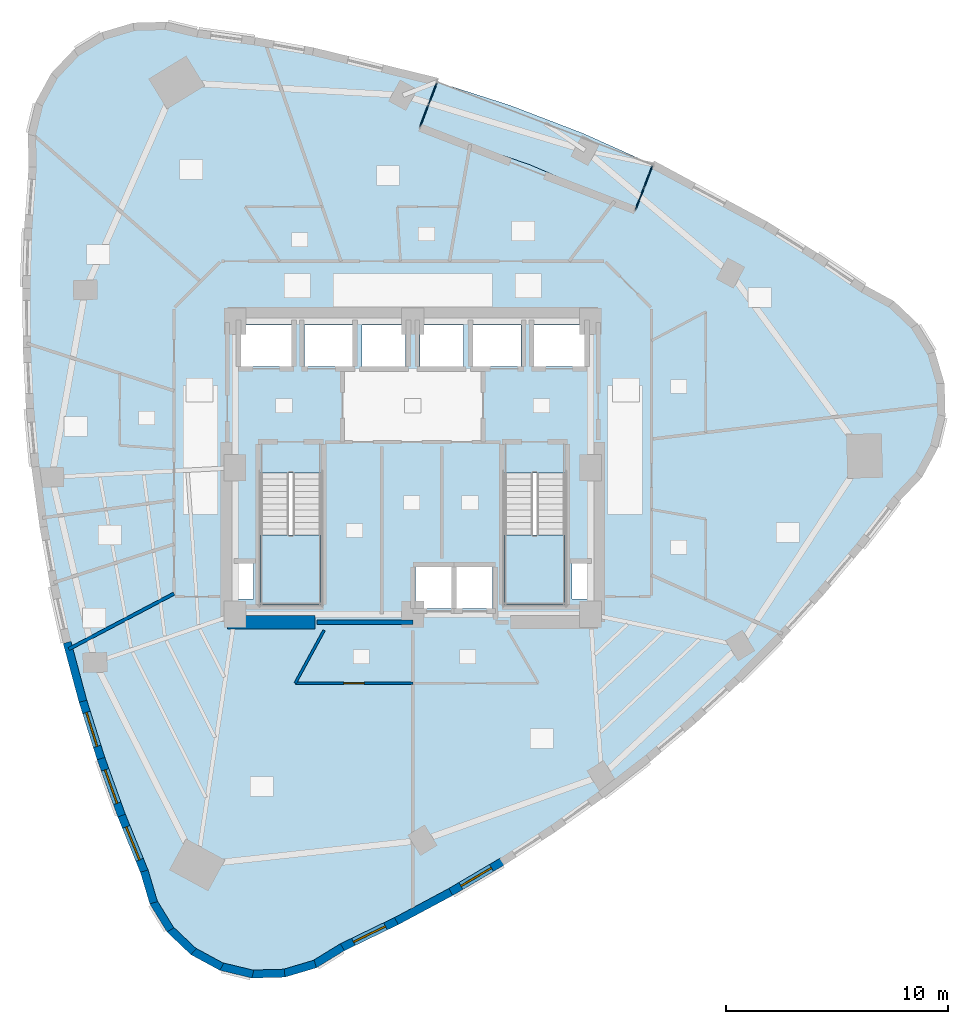
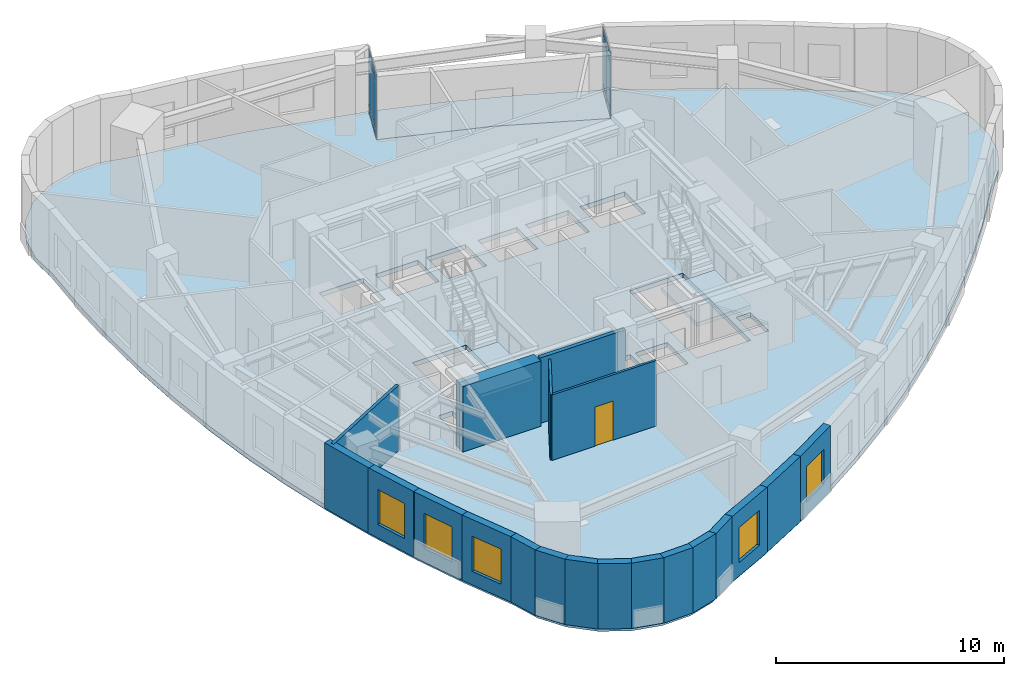
# One storey, part 5 of 12: 20 walls, 12 plates, 5 windows, 4 slabs, 1 door, 6 openings, 4 elements without a shape of their own.
"""IFC4 building model written with IfcOpenShell, lengths in metres."""

import ifcopenshell
import ifcopenshell.guid

model = None  # the IFC model being written
_history = None  # IfcOwnerHistory: only IFC2X3 demands one
_inside = {}  # id of a spatial element -> (the spatial element, [elements in it])
_under = {}  # id of a project, library or spatial element -> (it, [spatial elements below it])
_declared = {}  # id of a project -> (the project, [libraries it declares])
_typed = {}  # id of a type object -> (the type object, [elements of that type])
_made_of = {}  # id of a material, layer set ... -> (it, [elements and type objects made of it])


def new_model(schema):
    """Start an empty IFC model of exactly this schema.

    Asked for "IFC4X3", IfcOpenShell would pick the latest addendum, in which some entities
    have other attributes; the version numbers below select the first issue.
    IFC2X3 requires an IfcOwnerHistory on every rooted entity: one is made here for all.
    """
    global model, _history
    if schema == "IFC4X3":
        model = ifcopenshell.file(schema_version=(4, 3, 0, 0))
    else:
        model = ifcopenshell.file(schema=schema)
    _inside.clear()
    _under.clear()
    _declared.clear()
    _typed.clear()
    _made_of.clear()
    _history = None
    if model.schema == "IFC2X3":
        org = make("IfcOrganization", Name="unknown")
        user = make(
            "IfcPersonAndOrganization",
            ThePerson=make("IfcPerson", FamilyName="unknown"),
            TheOrganization=org,
        )
        app = make(
            "IfcApplication",
            ApplicationDeveloper=org,
            Version="unknown",
            ApplicationFullName="unknown",
            ApplicationIdentifier="unknown",
        )
        _history = make(
            "IfcOwnerHistory",
            OwningUser=user,
            OwningApplication=app,
            ChangeAction="ADDED",
            CreationDate=0,
        )
    return model


def make(cls, **values):
    """One entity of the class cls with the attributes given. An attribute that is None is left unset."""
    return model.create_entity(
        cls, **{name: value for name, value in values.items() if value is not None}
    )


def rooted(cls, **values):
    """An entity with a GlobalId (a new one), such as an element, a storey or a relation."""
    return make(cls, GlobalId=ifcopenshell.guid.new(), OwnerHistory=_history, **values)


def si_unit(unit_type, name, prefix=None):
    """IfcSIUnit, for example si_unit("LENGTHUNIT", "METRE", prefix="MILLI")."""
    return make("IfcSIUnit", UnitType=unit_type, Prefix=prefix, Name=name)


def assignment(units):
    """IfcUnitAssignment: the units of a project."""
    return None if units is None else make("IfcUnitAssignment", Units=units)


def point(xyz):
    """IfcCartesianPoint."""
    return None if xyz is None else make("IfcCartesianPoint", Coordinates=xyz)


def direction(xyz):
    """IfcDirection."""
    return None if xyz is None else make("IfcDirection", DirectionRatios=xyz)


def frame(location, z_axis=None, x_axis=None):
    """IfcAxis2Placement3D, a coordinate frame: its origin and axes. An axis left out is left unset."""
    return make(
        "IfcAxis2Placement3D",
        Location=point(location),
        Axis=direction(z_axis),
        RefDirection=direction(x_axis),
    )


def frame_2d(location, x_axis=None):
    """IfcAxis2Placement2D, a coordinate frame in the plane: its origin and x axis."""
    return make(
        "IfcAxis2Placement2D", Location=point(location), RefDirection=direction(x_axis)
    )


def origin():
    """The frame at (0, 0, 0) with its axes left unset."""
    return frame((0.0, 0.0, 0.0))


def origin_2d():
    """The frame at (0, 0) in the plane with its x axis left unset."""
    return frame_2d((0.0, 0.0))


def place(relative_to, where):
    """IfcLocalPlacement: puts the frame where relative to a parent placement (None: the world)."""
    return make(
        "IfcLocalPlacement", PlacementRelTo=relative_to, RelativePlacement=where
    )


def context(
    kind, dimensions, precision=None, world=None, true_north=None, identifier=None
):
    """IfcGeometricRepresentationContext, for example the 3D "Model" context."""
    return make(
        "IfcGeometricRepresentationContext",
        ContextIdentifier=identifier,
        ContextType=kind,
        CoordinateSpaceDimension=dimensions,
        Precision=precision,
        WorldCoordinateSystem=world,
        TrueNorth=true_north,
    )


def subcontext(parent, identifier, kind, view, scale=None):
    """IfcGeometricRepresentationSubContext, for example "Body" below "Model"."""
    return make(
        "IfcGeometricRepresentationSubContext",
        ContextIdentifier=identifier,
        ContextType=kind,
        ParentContext=parent,
        TargetScale=scale,
        TargetView=view,
    )


def project(units=None, contexts=None):
    """IfcProject with its units and contexts."""
    return rooted(
        "IfcProject",
        Name="project",
        RepresentationContexts=contexts,
        UnitsInContext=assignment(units),
    )


def spatial(cls, under=None, at=None, **own):
    """A site, building, storey or space (cls), placed at a placement, below another one or the project."""
    s = rooted(cls, ObjectPlacement=at, **own)
    if under is not None:
        _under.setdefault(under.id(), (under, []))[1].append(s)
    return s


def polyline(points):
    """IfcPolyline through the points."""
    return make("IfcPolyline", Points=[point(p) for p in points])


def profile(cls, at=None, kind="AREA", **sizes):
    """A parametric profile (cls). Its sizes go by their IFC names, for example OverallWidth=200.0."""
    return make(cls, ProfileType=kind, Position=at, **sizes)


def rectangle(**sizes):
    """IfcRectangleProfileDef."""
    return profile("IfcRectangleProfileDef", **sizes)


def outline(outer, holes=None, kind="AREA"):
    """IfcArbitraryClosedProfileDef: a profile drawn as a closed curve; with holes, ...WithVoids."""
    if holes is None:
        return make("IfcArbitraryClosedProfileDef", ProfileType=kind, OuterCurve=outer)
    return make(
        "IfcArbitraryProfileDefWithVoids",
        ProfileType=kind,
        OuterCurve=outer,
        InnerCurves=holes,
    )


def extrude(swept, where, along, depth):
    """IfcExtrudedAreaSolid: the profile swept, set in the frame where, extruded along a direction by depth."""
    return make(
        "IfcExtrudedAreaSolid",
        SweptArea=swept,
        Position=where,
        ExtrudedDirection=direction(along),
        Depth=depth,
    )


def shape(context_of_items, identifier, shape_type, items):
    """IfcShapeRepresentation: the items that make up one representation, for example the "Body"."""
    return make(
        "IfcShapeRepresentation",
        ContextOfItems=context_of_items,
        RepresentationIdentifier=identifier,
        RepresentationType=shape_type,
        Items=items,
    )


def material(Name=None, Category=None):
    """IfcMaterial."""
    return make("IfcMaterial", Name=Name, Category=Category)


def layer(
    of_material, thickness, ventilated=None, Name=None, Category=None, Priority=None
):
    """IfcMaterialLayer: one layer of a wall or slab, of a material (None: an air gap)."""
    return make(
        "IfcMaterialLayer",
        Material=of_material,
        LayerThickness=thickness,
        IsVentilated=ventilated,
        Name=Name,
        Category=Category,
        Priority=Priority,
    )


def layer_set(layers, Name=None):
    """IfcMaterialLayerSet."""
    return make("IfcMaterialLayerSet", MaterialLayers=layers, LayerSetName=Name)


def made_of(thing, what):
    """Note that an element or type object is made of a material, layer set ...; save() writes the relation."""
    if what is not None:
        _made_of.setdefault(what.id(), (what, []))[1].append(thing)
    return thing


def type_object(cls, material=None, **own):
    """A type object (cls), such as IfcWallType, which elements share."""
    return made_of(rooted(cls, **own), material)


def element(
    cls,
    number,
    at=None,
    inside=None,
    cuts=None,
    type_object=None,
    material=None,
    context=None,
    identifier="Body",
    shape_type=None,
    held_by="IfcProductDefinitionShape",
    body=None,
    shapes=None,
    **own,
):
    """One element of the class cls, such as IfcWall. Its Tag is "e" and its number.

    at: its placement. inside: the storey or other place that contains it. cuts: it is an
    opening in that element (IfcRelVoidsElement). A single representation is given by context,
    identifier, shape_type and body (its items); several are given by shapes. held_by: the class
    of the entity that holds the representations. save() writes the other relations.
    """
    e = rooted(cls, Tag="e%d" % number, ObjectPlacement=at, **own)
    if body is not None:
        shapes = [shape(context, identifier, shape_type, body)]
    if shapes is not None:
        e.Representation = make(held_by, Representations=shapes)
    if inside is not None:
        _inside.setdefault(inside.id(), (inside, []))[1].append(e)
    if cuts is not None:
        rooted(
            "IfcRelVoidsElement", RelatingBuildingElement=cuts, RelatedOpeningElement=e
        )
    if type_object is not None:
        _typed.setdefault(type_object.id(), (type_object, []))[1].append(e)
    return made_of(e, material)


def fill(opening, filler):
    """IfcRelFillsElement: the door or window that sits in an opening."""
    return rooted(
        "IfcRelFillsElement",
        RelatingOpeningElement=opening,
        RelatedBuildingElement=filler,
    )


def aggregate(whole, parts):
    """IfcRelAggregates: a whole, such as a stair, and the parts it consists of."""
    return rooted("IfcRelAggregates", RelatingObject=whole, RelatedObjects=parts)


def save(model, path):
    """Write the relations noted so far, then the file.

    IfcRelAggregates (storeys below a building ...), IfcRelContainedInSpatialStructure (elements
    in a storey), IfcRelDefinesByType, IfcRelAssociatesMaterial and IfcRelDeclares: one each for
    every whole, place, type object, material and project.
    """
    for whole, parts in _under.values():
        aggregate(whole, parts)
    for where, things in _inside.values():
        rooted(
            "IfcRelContainedInSpatialStructure",
            RelatedElements=things,
            RelatingStructure=where,
        )
    for kind, things in _typed.values():
        rooted("IfcRelDefinesByType", RelatedObjects=things, RelatingType=kind)
    for what, things in _made_of.values():
        rooted("IfcRelAssociatesMaterial", RelatedObjects=things, RelatingMaterial=what)
    for by, libraries in _declared.values():
        rooted("IfcRelDeclares", RelatingContext=by, RelatedDefinitions=libraries)
    model.write(path)


model = new_model("IFC4")

# Units and contexts
model_context = context("Model", 3, precision=1e-05, world=origin(), true_north=direction((0.0, 1.0)))
body_context = subcontext(model_context, "Body", "Model", "MODEL_VIEW")
ifc_project = project(units=[si_unit("LENGTHUNIT", "METRE"), si_unit("AREAUNIT", "SQUARE_METRE"), si_unit("VOLUMEUNIT", "CUBIC_METRE"), si_unit("PLANEANGLEUNIT", "RADIAN"), si_unit("MASSUNIT", "GRAM", prefix="KILO")], contexts=[model_context])

# Site, building, storey
site_placement = place(None, origin())
site = spatial("IfcSite", under=ifc_project, at=site_placement, CompositionType="ELEMENT")
building_placement = place(site_placement, origin())
building = spatial("IfcBuilding", under=site, at=building_placement, Name="Ndelora Gate Hotel", CompositionType="ELEMENT")
storey_placement = place(building_placement, frame((0.0, 0.0, 153.5)))
storey = spatial("IfcBuildingStorey", under=building, at=storey_placement, Name="L38", CompositionType="ELEMENT", Elevation=153.5)

# Curtain wall, plates
ifc_material_1 = material(Name="Bronze Anodised Unitised Aluminium and Low-E Glass", Category="aluminium")
ifc_layer_1 = layer(ifc_material_1, 0.199951171875)
ifc_layer_set_1 = layer_set([ifc_layer_1], Name="Bronze Anodised Unitised Aluminium and Low-E Glass")
curtain_wall_type = type_object("IfcCurtainWallType", Name="CW-SYS-3", PredefinedType="NOTDEFINED", material=ifc_layer_set_1)
curtain_wall_1_placement = place(storey_placement, origin())
curtain_wall_1 = element("IfcCurtainWall", 1, at=curtain_wall_1_placement, inside=storey, type_object=curtain_wall_type, Name="L38 Sky-Garden Loggia Side Curtain Wall CW3-1", PredefinedType="NOTDEFINED")
ifc_material_2 = material(Name="Solar-Control Low-E Insulated Glazing", Category="glass")
ifc_layer_2 = layer(ifc_material_2, 0.048095703125)
ifc_layer_set_2 = layer_set([ifc_layer_2], Name="Solar-Control Low-E Insulated Glazing")
plate_type = type_object("IfcPlateType", Name="PL-CW-GLZ36", PredefinedType="CURTAIN_PANEL", material=ifc_layer_set_2)
plate_1_placement = place(storey_placement, frame((10.2236328125, 12.123291015625, 0.05908203125), z_axis=(0.0, 0.0, 1.0), x_axis=(0.358360683234, 0.93358321574, 0.0)))
plate_1 = element("IfcPlate", 2, at=plate_1_placement, type_object=plate_type, Name="CW3 panel 1.1", PredefinedType="CURTAIN_PANEL", context=body_context, shape_type="SweptSolid", body=[
    extrude(rectangle(XDim=1.014404296875, YDim=0.048095703125, at=origin_2d()), origin(), (0.0, 0.0, 1.0), 0.364501953125),
])
plate_2_placement = place(storey_placement, frame((10.2236328125, 12.123291015625, 0.4765625), z_axis=(0.0, 0.0, 1.0), x_axis=(0.358360683234, 0.93358321574, 0.0)))
plate_2 = element("IfcPlate", 3, at=plate_2_placement, type_object=plate_type, Name="CW3 panel 1.2", PredefinedType="CURTAIN_PANEL", context=body_context, shape_type="SweptSolid", body=[
    extrude(rectangle(XDim=1.014404296875, YDim=0.048095703125, at=origin_2d()), origin(), (0.0, 0.0, 1.0), 2.447021484375),
])
plate_3_placement = place(storey_placement, frame((10.2236328125, 12.123291015625, 2.9765625), z_axis=(0.0, 0.0, 1.0), x_axis=(0.358360683234, 0.93358321574, 0.0)))
plate_3 = element("IfcPlate", 4, at=plate_3_placement, type_object=plate_type, Name="CW3 panel 1.3", PredefinedType="CURTAIN_PANEL", context=body_context, shape_type="SweptSolid", body=[
    extrude(rectangle(XDim=1.014404296875, YDim=0.048095703125, at=origin_2d()), origin(), (0.0, 0.0, 1.0), 0.464599609375),
])
plate_4_placement = place(storey_placement, frame((10.606201171875, 13.119873046875, 0.05908203125), z_axis=(0.0, 0.0, 1.0), x_axis=(0.358360683234, 0.93358321574, 0.0)))
plate_4 = element("IfcPlate", 5, at=plate_4_placement, type_object=plate_type, Name="CW3 panel 2.1", PredefinedType="CURTAIN_PANEL", context=body_context, shape_type="SweptSolid", body=[
    extrude(rectangle(XDim=1.014404296875, YDim=0.048095703125, at=origin_2d()), origin(), (0.0, 0.0, 1.0), 0.364501953125),
])
plate_5_placement = place(storey_placement, frame((10.606201171875, 13.119873046875, 0.4765625), z_axis=(0.0, 0.0, 1.0), x_axis=(0.358360683234, 0.93358321574, 0.0)))
plate_5 = element("IfcPlate", 6, at=plate_5_placement, type_object=plate_type, Name="CW3 panel 2.2", PredefinedType="CURTAIN_PANEL", context=body_context, shape_type="SweptSolid", body=[
    extrude(rectangle(XDim=1.014404296875, YDim=0.048095703125, at=origin_2d()), origin(), (0.0, 0.0, 1.0), 2.447021484375),
])
plate_6_placement = place(storey_placement, frame((10.606201171875, 13.119873046875, 2.9765625), z_axis=(0.0, 0.0, 1.0), x_axis=(0.358360683234, 0.93358321574, 0.0)))
plate_6 = element("IfcPlate", 7, at=plate_6_placement, type_object=plate_type, Name="CW3 panel 2.3", PredefinedType="CURTAIN_PANEL", context=body_context, shape_type="SweptSolid", body=[
    extrude(rectangle(XDim=1.014404296875, YDim=0.048095703125, at=origin_2d()), origin(), (0.0, 0.0, 1.0), 0.464599609375),
])
aggregate(curtain_wall_1, [plate_1, plate_2, plate_3, plate_4, plate_5, plate_6])

curtain_wall_2_placement = place(storey_placement, origin())
curtain_wall_2 = element("IfcCurtainWall", 8, at=curtain_wall_2_placement, inside=storey, type_object=curtain_wall_type, Name="L38 Sky-Garden Loggia Side Curtain Wall CW3-2", PredefinedType="NOTDEFINED")
plate_7_placement = place(storey_placement, frame((0.89697265625, 16.846923828125, 0.05908203125), z_axis=(0.0, 0.0, 1.0), x_axis=(-0.35837589096, -0.933577378035, 0.0)))
plate_7 = element("IfcPlate", 9, at=plate_7_placement, type_object=plate_type, Name="CW3 panel 1.1", PredefinedType="CURTAIN_PANEL", context=body_context, shape_type="SweptSolid", body=[
    extrude(rectangle(XDim=1.014404296875, YDim=0.048095703125, at=origin_2d()), origin(), (0.0, 0.0, 1.0), 0.364501953125),
])
plate_8_placement = place(storey_placement, frame((0.89697265625, 16.846923828125, 0.4765625), z_axis=(0.0, 0.0, 1.0), x_axis=(-0.35837589096, -0.933577378035, 0.0)))
plate_8 = element("IfcPlate", 10, at=plate_8_placement, type_object=plate_type, Name="CW3 panel 1.2", PredefinedType="CURTAIN_PANEL", context=body_context, shape_type="SweptSolid", body=[
    extrude(rectangle(XDim=1.014404296875, YDim=0.048095703125, at=origin_2d()), origin(), (0.0, 0.0, 1.0), 2.447021484375),
])
plate_9_placement = place(storey_placement, frame((0.89697265625, 16.846923828125, 2.9765625), z_axis=(0.0, 0.0, 1.0), x_axis=(-0.35837589096, -0.933577378035, 0.0)))
plate_9 = element("IfcPlate", 11, at=plate_9_placement, type_object=plate_type, Name="CW3 panel 1.3", PredefinedType="CURTAIN_PANEL", context=body_context, shape_type="SweptSolid", body=[
    extrude(rectangle(XDim=1.014404296875, YDim=0.048095703125, at=origin_2d()), origin(), (0.0, 0.0, 1.0), 0.464599609375),
])
plate_10_placement = place(storey_placement, frame((0.514404296875, 15.850341796875, 0.05908203125), z_axis=(0.0, 0.0, 1.0), x_axis=(-0.35837589096, -0.933577378035, 0.0)))
plate_10 = element("IfcPlate", 12, at=plate_10_placement, type_object=plate_type, Name="CW3 panel 2.1", PredefinedType="CURTAIN_PANEL", context=body_context, shape_type="SweptSolid", body=[
    extrude(rectangle(XDim=1.014404296875, YDim=0.048095703125, at=origin_2d()), origin(), (0.0, 0.0, 1.0), 0.364501953125),
])
plate_11_placement = place(storey_placement, frame((0.514404296875, 15.850341796875, 0.4765625), z_axis=(0.0, 0.0, 1.0), x_axis=(-0.35837589096, -0.933577378035, 0.0)))
plate_11 = element("IfcPlate", 13, at=plate_11_placement, type_object=plate_type, Name="CW3 panel 2.2", PredefinedType="CURTAIN_PANEL", context=body_context, shape_type="SweptSolid", body=[
    extrude(rectangle(XDim=1.014404296875, YDim=0.048095703125, at=origin_2d()), origin(), (0.0, 0.0, 1.0), 2.447021484375),
])
plate_12_placement = place(storey_placement, frame((0.514404296875, 15.850341796875, 2.9765625), z_axis=(0.0, 0.0, 1.0), x_axis=(-0.35837589096, -0.933577378035, 0.0)))
plate_12 = element("IfcPlate", 14, at=plate_12_placement, type_object=plate_type, Name="CW3 panel 2.3", PredefinedType="CURTAIN_PANEL", context=body_context, shape_type="SweptSolid", body=[
    extrude(rectangle(XDim=1.014404296875, YDim=0.048095703125, at=origin_2d()), origin(), (0.0, 0.0, 1.0), 0.464599609375),
])
aggregate(curtain_wall_2, [plate_7, plate_8, plate_9, plate_10, plate_11, plate_12])

# Stair, slab
ifc_material_3 = material(Name="Precast concrete C40/50", Category="concrete")
stair_type = type_object("IfcStairType", Name="STR-DOG-CORE", PredefinedType="HALF_TURN_STAIR", material=ifc_material_3)
stair_1_placement = place(storey_placement, origin())
stair_1 = element("IfcStair", 15, at=stair_1_placement, inside=storey, type_object=stair_type, Name="L38 Protected Core Exit Stair ST4", PredefinedType="HALF_TURN_STAIR")
ifc_layer_3 = layer(ifc_material_3, 0.219970703125)
ifc_layer_set_3 = layer_set([ifc_layer_3], Name="Precast concrete C40/50")
slab_type_1 = type_object("IfcSlabType", Name="SL-LAND-220", PredefinedType="LANDING", material=ifc_layer_set_3)
slab_1_placement = place(storey_placement, frame((0.0, 0.0, 1.675048828125)))
slab_1 = element("IfcSlab", 16, at=slab_1_placement, type_object=slab_type_1, Name="ST4 landing 1", PredefinedType="LANDING", context=body_context, shape_type="SweptSolid", body=[
    extrude(outline(polyline([(-6.85009765625, -3.030029296875), (-6.85009765625, -6.14990234375), (-4.1298828125, -6.14990234375), (-4.1298828125, -3.030029296875), (-6.85009765625, -3.030029296875)])), origin(), (0.0, 0.0, 1.0), 0.199951171875),
])
aggregate(stair_1, [slab_1])

stair_2_placement = place(storey_placement, origin())
stair_2 = element("IfcStair", 17, at=stair_2_placement, inside=storey, type_object=stair_type, Name="L38 Protected Core Exit Stair ST5", PredefinedType="HALF_TURN_STAIR")
slab_2_placement = place(storey_placement, frame((0.0, 0.0, 1.675048828125)))
slab_2 = element("IfcSlab", 18, at=slab_2_placement, type_object=slab_type_1, Name="ST5 landing 1", PredefinedType="LANDING", context=body_context, shape_type="SweptSolid", body=[
    extrude(outline(polyline([(4.1298828125, -3.030029296875), (4.1298828125, -6.14990234375), (6.85009765625, -6.14990234375), (6.85009765625, -3.030029296875), (4.1298828125, -3.030029296875)])), origin(), (0.0, 0.0, 1.0), 0.199951171875),
])
aggregate(stair_2, [slab_2])

# Slabs
ifc_layer_4 = layer(ifc_material_3, 0.239990234375)
ifc_layer_set_4 = layer_set([ifc_layer_4], Name="Precast concrete C40/50")
slab_type_2 = type_object("IfcSlabType", Name="SL-TER-240", PredefinedType="FLOOR", material=ifc_layer_set_4)
slab_3_placement = place(storey_placement, frame((0.0, 0.0, -0.239990234375)))
element("IfcSlab", 19, at=slab_3_placement, inside=storey, type_object=slab_type_2, Name="L38 Sky Garden Loggia Terrace Slab", PredefinedType="FLOOR", context=body_context, shape_type="SweptSolid", body=[
    extrude(outline(polyline([(10.020751953125, 11.594482421875), (10.80908203125, 13.6484375), (7.673095703125, 15.0556640625), (4.371826171875, 16.32275390625), (1.099853515625, 17.37548828125), (0.3115234375, 15.32177734375), (5.242919921875, 13.658447265625), (10.020751953125, 11.594482421875)])), origin(), (0.0, 0.0, 1.0), 0.239990234375),
])
ifc_material_4 = material(Name="Concrete C40/50", Category="concrete")
ifc_layer_5 = layer(ifc_material_4, 0.25)
ifc_layer_set_5 = layer_set([ifc_layer_5], Name="Concrete C40/50")
slab_type_3 = type_object("IfcSlabType", Name="SL-TWR-250", PredefinedType="FLOOR", material=ifc_layer_set_5)
slab_4_placement = place(storey_placement, frame((0.0, 0.0, -0.25)))
element("IfcSlab", 20, at=slab_4_placement, inside=storey, type_object=slab_type_3, Name="L38 Structural Floor Slab", PredefinedType="FLOOR", context=body_context, shape_type="SweptSolid", body=[
    extrude(outline(polyline([(-9.70947265625, 19.558837890625), (-11.10546875, 19.89404296875), (-12.540771484375, 19.8564453125), (-13.91748046875, 19.448486328125), (-15.1416015625, 18.698486328125), (-16.1298828125, 17.656982421875), (-16.815185546875, 16.39501953125), (-17.150390625, 14.9990234375), (-17.11279296875, 13.563720703125), (-17.312255859375, 10.819580078125), (-17.3994140625, 8.093505859375), (-17.3740234375, 5.38525390625), (-17.236083984375, 2.69482421875), (-16.98583984375, 0.022216796875), (-16.623046875, -2.6328125), (-16.147705078125, -5.27001953125), (-15.559814453125, -7.88916015625), (-14.859619140625, -10.490478515625), (-14.046630859375, -13.07421875), (-13.12158203125, -15.639892578125), (-12.083740234375, -18.18798828125), (-11.67578125, -19.564697265625), (-10.92578125, -20.788818359375), (-9.88427734375, -21.777099609375), (-8.62255859375, -22.46240234375), (-7.226318359375, -22.79736328125), (-5.791015625, -22.760009765625), (-4.414306640625, -22.35205078125), (-3.190185546875, -21.601806640625), (-0.714111328125, -20.402587890625), (1.6904296875, -19.114990234375), (4.023193359375, -17.739013671875), (6.2841796875, -16.2744140625), (8.473876953125, -14.72119140625), (10.591552734375, -13.07958984375), (12.6376953125, -11.349365234375), (14.612060546875, -9.530517578125), (16.514892578125, -7.623291015625), (18.345947265625, -5.627685546875), (20.105224609375, -3.54345703125), (21.793212890625, -1.370849609375), (22.781494140625, -0.329345703125), (23.466552734375, 0.9326171875), (23.8017578125, 2.32861328125), (23.76416015625, 3.763916015625), (23.356201171875, 5.140380859375), (22.606201171875, 6.36474609375), (21.564697265625, 7.35302734375), (20.302734375, 8.0380859375), (18.1181640625, 9.523193359375), (15.895751953125, 10.910400390625), (10.80908203125, 13.6484375), (10.020751953125, 11.594482421875), (5.242919921875, 13.658447265625), (0.3115234375, 15.32177734375), (1.099853515625, 17.37548828125), (-4.512451171875, 18.744384765625), (-7.092041015625, 19.20068359375), (-9.70947265625, 19.558837890625)]), holes=[polyline([(-6.85009765625, -0.22998046875), (-6.85009765625, -6.14990234375), (-4.1298828125, -6.14990234375), (-4.1298828125, -0.22998046875), (-6.85009765625, -0.22998046875)]), polyline([(4.1298828125, -0.22998046875), (4.1298828125, -6.14990234375), (6.85009765625, -6.14990234375), (6.85009765625, -0.22998046875), (4.1298828125, -0.22998046875)]), polyline([(-7.72998046875, 4.570068359375), (-5.469970703125, 4.570068359375), (-5.469970703125, 6.429931640625), (-7.72998046875, 6.429931640625), (-7.72998046875, 4.570068359375)]), polyline([(5.469970703125, 4.570068359375), (7.72998046875, 4.570068359375), (7.72998046875, 6.429931640625), (5.469970703125, 6.429931640625), (5.469970703125, 4.570068359375)]), polyline([(-4.8798828125, 4.570068359375), (-2.719970703125, 4.570068359375), (-2.719970703125, 6.429931640625), (-4.8798828125, 6.429931640625), (-4.8798828125, 4.570068359375)]), polyline([(2.719970703125, 4.570068359375), (4.8798828125, 4.570068359375), (4.8798828125, 6.429931640625), (2.719970703125, 6.429931640625), (2.719970703125, 4.570068359375)]), polyline([(0.1201171875, -6.330078125), (1.739990234375, -6.330078125), (1.739990234375, -4.469970703125), (0.1201171875, -4.469970703125), (0.1201171875, -6.330078125)]), polyline([(1.97998046875, -6.330078125), (3.60009765625, -6.330078125), (3.60009765625, -4.469970703125), (1.97998046875, -4.469970703125), (1.97998046875, -6.330078125)]), polyline([(-2.280029296875, 4.570068359375), (-0.320068359375, 4.570068359375), (-0.320068359375, 6.429931640625), (-2.280029296875, 6.429931640625), (-2.280029296875, 4.570068359375)]), polyline([(0.320068359375, 4.570068359375), (2.280029296875, 4.570068359375), (2.280029296875, 6.429931640625), (0.320068359375, 6.429931640625), (0.320068359375, 4.570068359375)]), polyline([(-7.89990234375, -5.919921875), (-7.179931640625, -5.919921875), (-7.179931640625, -4.320068359375), (-7.89990234375, -4.320068359375), (-7.89990234375, -5.919921875)]), polyline([(7.179931640625, -5.919921875), (7.89990234375, -5.919921875), (7.89990234375, -4.320068359375), (7.179931640625, -4.320068359375), (7.179931640625, -5.919921875)])]), origin(), (0.0, 0.0, 1.0), 0.25),
])

# Wall
ifc_material_5 = material(Name="Clay Brick Masonry", Category="masonry")
ifc_layer_6 = layer(ifc_material_5, 0.360107421875)
ifc_layer_set_6 = layer_set([ifc_layer_6], Name="Clay Brick Masonry")
wall_type_1 = type_object("IfcWallType", Name="WL-BRICK-360", PredefinedType="SOLIDWALL", material=ifc_layer_set_6)
wall_1_placement = place(storey_placement, frame((-14.85302734375, -10.5146484375, 0.0), z_axis=(0.0, 0.0, 1.0), x_axis=(-0.259976664172, 0.965614899474, 0.0)))
element("IfcWall", 21, at=wall_1_placement, inside=storey, type_object=wall_type_1, Name="L38 Tower Brick Pier-and-Spandrel Wall TWR-17", PredefinedType="SOLIDWALL", context=body_context, shape_type="SweptSolid", body=[
    extrude(rectangle(XDim=2.743896484375, YDim=0.360107421875, at=frame_2d((1.3720703125, 0.0))), origin(), (0.0, 0.0, 1.0), 3.5),
])

# Wall, opening, window
wall_2_placement = place(storey_placement, frame((-14.039306640625, -13.097900390625, 0.0), z_axis=(0.0, 0.0, 1.0), x_axis=(-0.300063656013, 0.953919180193, 0.0)))
wall_2 = element("IfcWall", 22, at=wall_2_placement, inside=storey, type_object=wall_type_1, Name="L38 Tower Brick Pier-and-Spandrel Wall TWR-18", PredefinedType="SOLIDWALL", context=body_context, shape_type="SweptSolid", body=[
    extrude(rectangle(XDim=2.75830078125, YDim=0.360107421875, at=frame_2d((1.379150390625, 0.0))), origin(), (0.0, 0.0, 1.0), 3.5),
])
opening_1_placement = place(wall_2_placement, frame((0.5791015625, 0.0, 0.719970703125)))
opening_1 = element("IfcOpeningElement", 23, at=opening_1_placement, cuts=wall_2, Name="Opening W01", PredefinedType="OPENING", context=body_context, shape_type="SweptSolid", body=[
    extrude(rectangle(XDim=1.60009765625, YDim=1.8798828125, at=frame_2d((0.800048828125, 0.93994140625))), frame((0.0, 0.18994140625, 0.0), z_axis=(0.0, -1.0, 0.0), x_axis=(1.0, 0.0, 0.0)), (0.0, 0.0, 1.0), 0.380126953125),
])
ifc_material_6 = material(Name="Insulated Low-E Double Glazing in Bronze Aluminium Frame", Category="aluminium")
window_type_1 = type_object("IfcWindowType", Name="WN-DEEP-1600", PartitioningType="SINGLE_PANEL", PredefinedType="WINDOW", material=ifc_material_6)
window_1_placement = place(opening_1_placement, origin())
window_1 = element("IfcWindow", 24, at=window_1_placement, inside=storey, type_object=window_type_1, Name="L38 Deep-Set Brick-Pier Window W01", OverallHeight=1.8798828125, OverallWidth=1.60009765625, PartitioningType="SINGLE_PANEL", PredefinedType="WINDOW", context=body_context, shape_type="SweptSolid", body=[
    extrude(rectangle(XDim=1.60009765625, YDim=1.8798828125, at=frame_2d((0.800048828125, 0.93994140625))), frame((0.0, 0.030029296875, 0.0), z_axis=(0.0, -1.0, 0.0), x_axis=(1.0, 0.0, 0.0)), (0.0, 0.0, 1.0), 0.06005859375),
])
fill(opening_1, window_1)

wall_3_placement = place(storey_placement, frame((-13.113037109375, -15.66357421875, 0.0), z_axis=(0.0, 0.0, 1.0), x_axis=(-0.339208104653, 0.940711359418, 0.0)))
wall_3 = element("IfcWall", 25, at=wall_3_placement, inside=storey, type_object=wall_type_1, Name="L38 Tower Brick Pier-and-Spandrel Wall TWR-19", PredefinedType="SOLIDWALL", context=body_context, shape_type="SweptSolid", body=[
    extrude(rectangle(XDim=2.77734375, YDim=0.360107421875, at=frame_2d((1.388671875, 0.0))), origin(), (0.0, 0.0, 1.0), 3.5),
])
opening_2_placement = place(wall_3_placement, frame((0.5888671875, 0.0, 0.719970703125)))
opening_2 = element("IfcOpeningElement", 26, at=opening_2_placement, cuts=wall_3, Name="Opening W01", PredefinedType="OPENING", context=body_context, shape_type="SweptSolid", body=[
    extrude(rectangle(XDim=1.60009765625, YDim=1.8798828125, at=frame_2d((0.800048828125, 0.93994140625))), frame((0.0, 0.18994140625, 0.0), z_axis=(0.0, -1.0, 0.0), x_axis=(1.0, 0.0, 0.0)), (0.0, 0.0, 1.0), 0.380126953125),
])
window_2_placement = place(opening_2_placement, origin())
window_2 = element("IfcWindow", 27, at=window_2_placement, inside=storey, type_object=window_type_1, Name="L38 Deep-Set Brick-Pier Window W01", OverallHeight=1.8798828125, OverallWidth=1.60009765625, PartitioningType="SINGLE_PANEL", PredefinedType="WINDOW", context=body_context, shape_type="SweptSolid", body=[
    extrude(rectangle(XDim=1.60009765625, YDim=1.8798828125, at=frame_2d((0.800048828125, 0.93994140625))), frame((0.0, 0.030029296875, 0.0), z_axis=(0.0, -1.0, 0.0), x_axis=(1.0, 0.0, 0.0)), (0.0, 0.0, 1.0), 0.06005859375),
])
fill(opening_2, window_2)

wall_4_placement = place(storey_placement, frame((-12.07421875, -18.211181640625, 0.0), z_axis=(0.0, 0.0, 1.0), x_axis=(-0.377183384967, 0.926138593357, 0.0)))
wall_4 = element("IfcWall", 28, at=wall_4_placement, inside=storey, type_object=wall_type_1, Name="L38 Tower Brick Pier-and-Spandrel Wall TWR-20", PredefinedType="SOLIDWALL", context=body_context, shape_type="SweptSolid", body=[
    extrude(rectangle(XDim=2.801513671875, YDim=0.360107421875, at=frame_2d((1.40087890625, 0.0))), origin(), (0.0, 0.0, 1.0), 3.5),
])
opening_3_placement = place(wall_4_placement, frame((0.6005859375, 0.0, 0.719970703125)))
opening_3 = element("IfcOpeningElement", 29, at=opening_3_placement, cuts=wall_4, Name="Opening W01", PredefinedType="OPENING", context=body_context, shape_type="SweptSolid", body=[
    extrude(rectangle(XDim=1.60009765625, YDim=1.8798828125, at=frame_2d((0.800048828125, 0.93994140625))), frame((0.0, 0.18994140625, 0.0), z_axis=(0.0, -1.0, 0.0), x_axis=(1.0, 0.0, 0.0)), (0.0, 0.0, 1.0), 0.380126953125),
])
window_3_placement = place(opening_3_placement, origin())
window_3 = element("IfcWindow", 30, at=window_3_placement, inside=storey, type_object=window_type_1, Name="L38 Deep-Set Brick-Pier Window W01", OverallHeight=1.8798828125, OverallWidth=1.60009765625, PartitioningType="SINGLE_PANEL", PredefinedType="WINDOW", context=body_context, shape_type="SweptSolid", body=[
    extrude(rectangle(XDim=1.60009765625, YDim=1.8798828125, at=frame_2d((0.800048828125, 0.93994140625))), frame((0.0, 0.030029296875, 0.0), z_axis=(0.0, -1.0, 0.0), x_axis=(1.0, 0.0, 0.0)), (0.0, 0.0, 1.0), 0.06005859375),
])
fill(opening_3, window_3)

# Walls
for number, where, z_axis, x_axis, name in (
    (31, (-11.668701171875, -19.588623046875, 0.0), (0.0, 0.0, 1.0), (-0.284105113664, 0.95879313952, 0.0), "L38 Tower Brick Pier-and-Spandrel Wall TWR-21"),
    (32, (-10.91259765625, -20.81005859375, 0.0), (0.0, 0.0, 1.0), (-0.522519673624, 0.852627228439, 0.0), "L38 Tower Brick Pier-and-Spandrel Wall TWR-22"),
    (33, (-9.8662109375, -21.79443359375, 0.0), (0.0, 0.0, 1.0), (-0.725270134981, 0.688464400899, 0.0), "L38 Tower Brick Pier-and-Spandrel Wall TWR-23"),
):
    element("IfcWall", number, at=place(storey_placement, frame(where, z_axis=z_axis, x_axis=x_axis)), inside=storey, type_object=wall_type_1, Name=name, PredefinedType="SOLIDWALL", context=body_context, shape_type="SweptSolid", body=[
        extrude(rectangle(XDim=1.48583984375, YDim=0.360107421875, at=frame_2d((0.742919921875, 0.0))), origin(), (0.0, 0.0, 1.0), 3.5),
    ])
wall_5_placement = place(storey_placement, frame((-8.6005859375, -22.47412109375, 0.0), z_axis=(0.0, 0.0, 1.0), x_axis=(-0.878867212286, 0.477066476677, 0.0)))
element("IfcWall", 34, at=wall_5_placement, inside=storey, type_object=wall_type_1, Name="L38 Tower Brick Pier-and-Spandrel Wall TWR-24", PredefinedType="SOLIDWALL", context=body_context, shape_type="SweptSolid", body=[
    extrude(rectangle(XDim=1.485595703125, YDim=0.360107421875, at=frame_2d((0.74267578125, 0.0))), origin(), (0.0, 0.0, 1.0), 3.5),
])
wall_6_placement = place(storey_placement, frame((-7.201904296875, -22.80322265625, 0.0), z_axis=(0.0, 0.0, 1.0), x_axis=(-0.972399232605, 0.233323235941, 0.0)))
element("IfcWall", 35, at=wall_6_placement, inside=storey, type_object=wall_type_1, Name="L38 Tower Brick Pier-and-Spandrel Wall TWR-25", PredefinedType="SOLIDWALL", context=body_context, shape_type="SweptSolid", body=[
    extrude(rectangle(XDim=1.48583984375, YDim=0.360107421875, at=frame_2d((0.742919921875, 0.0))), origin(), (0.0, 0.0, 1.0), 3.5),
])
wall_7_placement = place(storey_placement, frame((-5.76611328125, -22.75927734375, 0.0), z_axis=(0.0, 0.0, 1.0), x_axis=(-0.999658566483, -0.026129494011, 0.0)))
element("IfcWall", 36, at=wall_7_placement, inside=storey, type_object=wall_type_1, Name="L38 Tower Brick Pier-and-Spandrel Wall TWR-26", PredefinedType="SOLIDWALL", context=body_context, shape_type="SweptSolid", body=[
    extrude(rectangle(XDim=1.485595703125, YDim=0.360107421875, at=frame_2d((0.74267578125, 0.0))), origin(), (0.0, 0.0, 1.0), 3.5),
])
for number, where, z_axis, x_axis, name in (
    (37, (-4.390380859375, -22.344970703125, 0.0), (0.0, 0.0, 1.0), (-0.95879313952, -0.284105113664, 0.0), "L38 Tower Brick Pier-and-Spandrel Wall TWR-27"),
    (38, (-3.1689453125, -21.5888671875, 0.0), (0.0, 0.0, 1.0), (-0.852627228439, -0.522519673624, 0.0), "L38 Tower Brick Pier-and-Spandrel Wall TWR-28"),
):
    element("IfcWall", number, at=place(storey_placement, frame(where, z_axis=z_axis, x_axis=x_axis)), inside=storey, type_object=wall_type_1, Name=name, PredefinedType="SOLIDWALL", context=body_context, shape_type="SweptSolid", body=[
        extrude(rectangle(XDim=1.48583984375, YDim=0.360107421875, at=frame_2d((0.742919921875, 0.0))), origin(), (0.0, 0.0, 1.0), 3.5),
    ])

# Wall, opening, window
wall_8_placement = place(storey_placement, frame((-0.69140625, -20.391845703125, 0.0), z_axis=(0.0, 0.0, 1.0), x_axis=(-0.900020320683, -0.435847934902, 0.0)))
wall_8 = element("IfcWall", 39, at=wall_8_placement, inside=storey, type_object=wall_type_1, Name="L38 Tower Brick Pier-and-Spandrel Wall TWR-29", PredefinedType="SOLIDWALL", context=body_context, shape_type="SweptSolid", body=[
    extrude(rectangle(XDim=2.80126953125, YDim=0.360107421875, at=frame_2d((1.400634765625, 0.0))), origin(), (0.0, 0.0, 1.0), 3.5),
])
opening_4_placement = place(wall_8_placement, frame((0.6005859375, 0.0, 0.719970703125)))
opening_4 = element("IfcOpeningElement", 40, at=opening_4_placement, cuts=wall_8, Name="Opening W03", PredefinedType="OPENING", context=body_context, shape_type="SweptSolid", body=[
    extrude(rectangle(XDim=1.60009765625, YDim=1.8798828125, at=frame_2d((0.800048828125, 0.93994140625))), frame((0.0, 0.18994140625, 0.0), z_axis=(0.0, -1.0, 0.0), x_axis=(1.0, 0.0, 0.0)), (0.0, 0.0, 1.0), 0.380126953125),
])
window_type_2 = type_object("IfcWindowType", Name="WN-CORN-2100", PartitioningType="SINGLE_PANEL", PredefinedType="WINDOW", material=ifc_material_6)
window_4_placement = place(opening_4_placement, origin())
window_4 = element("IfcWindow", 41, at=window_4_placement, inside=storey, type_object=window_type_2, Name="L38 Deep-Set Brick-Pier Window W03", OverallHeight=1.8798828125, OverallWidth=1.60009765625, PartitioningType="SINGLE_PANEL", PredefinedType="WINDOW", context=body_context, shape_type="SweptSolid", body=[
    extrude(rectangle(XDim=1.60009765625, YDim=1.8798828125, at=frame_2d((0.800048828125, 0.93994140625))), frame((0.0, 0.030029296875, 0.0), z_axis=(0.0, -1.0, 0.0), x_axis=(1.0, 0.0, 0.0)), (0.0, 0.0, 1.0), 0.06005859375),
])
fill(opening_4, window_4)

# Wall
wall_9_placement = place(storey_placement, frame((1.71240234375, -19.103271484375, 0.0), z_axis=(0.0, 0.0, 1.0), x_axis=(-0.881541378785, -0.472106764927, 0.0)))
element("IfcWall", 42, at=wall_9_placement, inside=storey, type_object=wall_type_1, Name="L38 Tower Brick Pier-and-Spandrel Wall TWR-30", PredefinedType="SOLIDWALL", context=body_context, shape_type="SweptSolid", body=[
    extrude(rectangle(XDim=2.777587890625, YDim=0.360107421875, at=frame_2d((1.388671875, 0.0))), origin(), (0.0, 0.0, 1.0), 3.5),
])

# Wall, opening, window
wall_10_placement = place(storey_placement, frame((4.044677734375, -17.726318359375, 0.0), z_axis=(0.0, 0.0, 1.0), x_axis=(-0.861319225374, -0.508064161304, 0.0)))
wall_10 = element("IfcWall", 43, at=wall_10_placement, inside=storey, type_object=wall_type_1, Name="L38 Tower Brick Pier-and-Spandrel Wall TWR-31", PredefinedType="SOLIDWALL", context=body_context, shape_type="SweptSolid", body=[
    extrude(rectangle(XDim=2.75830078125, YDim=0.360107421875, at=frame_2d((1.379150390625, 0.0))), origin(), (0.0, 0.0, 1.0), 3.5),
])
opening_5_placement = place(wall_10_placement, frame((0.5791015625, 0.0, 0.719970703125)))
opening_5 = element("IfcOpeningElement", 44, at=opening_5_placement, cuts=wall_10, Name="Opening W01", PredefinedType="OPENING", context=body_context, shape_type="SweptSolid", body=[
    extrude(rectangle(XDim=1.60009765625, YDim=1.8798828125, at=frame_2d((0.800048828125, 0.93994140625))), frame((0.0, 0.18994140625, 0.0), z_axis=(0.0, -1.0, 0.0), x_axis=(1.0, 0.0, 0.0)), (0.0, 0.0, 1.0), 0.380126953125),
])
window_5_placement = place(opening_5_placement, origin())
window_5 = element("IfcWindow", 45, at=window_5_placement, inside=storey, type_object=window_type_1, Name="L38 Deep-Set Brick-Pier Window W01", OverallHeight=1.8798828125, OverallWidth=1.60009765625, PartitioningType="SINGLE_PANEL", PredefinedType="WINDOW", context=body_context, shape_type="SweptSolid", body=[
    extrude(rectangle(XDim=1.60009765625, YDim=1.8798828125, at=frame_2d((0.800048828125, 0.93994140625))), frame((0.0, 0.030029296875, 0.0), z_axis=(0.0, -1.0, 0.0), x_axis=(1.0, 0.0, 0.0)), (0.0, 0.0, 1.0), 0.06005859375),
])
fill(opening_5, window_5)

# Walls
ifc_material_7 = material(Name="Concrete C60/75", Category="concrete")
ifc_layer_7 = layer(ifc_material_7, 0.60009765625)
ifc_layer_set_7 = layer_set([ifc_layer_7], Name="Concrete C60/75")
wall_type_2 = type_object("IfcWallType", Name="WL-CORE-600", PredefinedType="SHEAR", material=ifc_layer_set_7)
wall_11_placement = place(storey_placement, frame((-8.35009765625, -6.949951171875, 0.0), z_axis=(0.0, 0.0, 1.0), x_axis=(1.0, 0.0, 0.0)))
element("IfcWall", 46, at=wall_11_placement, inside=storey, type_object=wall_type_2, Name="L38 Core Shear Wall S-W", PredefinedType="SHEAR", context=body_context, shape_type="SweptSolid", body=[
    extrude(rectangle(XDim=3.9501953125, YDim=0.60009765625, at=frame_2d((1.97509765625, 0.0))), origin(), (0.0, 0.0, 1.0), 3.5),
])
ifc_layer_8 = layer(ifc_material_4, 0.199951171875)
ifc_layer_set_8 = layer_set([ifc_layer_8], Name="Concrete C40/50")
wall_type_3 = type_object("IfcWallType", Name="WL-FIRE-200", PredefinedType="PARTITIONING", material=ifc_layer_set_8)
wall_12_placement = place(storey_placement, frame((-4.320068359375, -6.949951171875, 0.0), z_axis=(0.0, 0.0, 1.0), x_axis=(1.0, 0.0, 0.0)))
element("IfcWall", 47, at=wall_12_placement, inside=storey, type_object=wall_type_3, Name="L38 Interior Wall IW-2", PredefinedType="PARTITIONING", context=body_context, shape_type="SweptSolid", body=[
    extrude(rectangle(XDim=4.320068359375, YDim=0.199951171875, at=frame_2d((2.16015625, 0.0))), origin(), (0.0, 0.0, 1.0), 3.5),
])
ifc_material_8 = material(Name="Fire-Rated Gypsum Stud Partition", Category="gypsum")
ifc_layer_9 = layer(ifc_material_8, 0.14990234375)
ifc_layer_set_9 = layer_set([ifc_layer_9], Name="Fire-Rated Gypsum Stud Partition")
wall_type_4 = type_object("IfcWallType", Name="WL-PART-150", PredefinedType="PARTITIONING", material=ifc_layer_set_9)
wall_13_placement = place(storey_placement, frame((-10.75, -5.667724609375, 0.0), z_axis=(0.0, 0.0, 1.0), x_axis=(-0.884578678767, -0.466390995915, 0.0)))
element("IfcWall", 48, at=wall_13_placement, inside=storey, type_object=wall_type_4, Name="L38 Interior Wall IW-5", PredefinedType="PARTITIONING", context=body_context, shape_type="SweptSolid", body=[
    extrude(rectangle(XDim=5.353515625, YDim=0.14990234375, at=frame_2d((2.6767578125, 0.0))), origin(), (0.0, 0.0, 1.0), 3.5),
])

# Wall, opening, door
ifc_material_9 = material(Name="Moisture-Resistant Bathroom Tile Partition", Category="gypsum")
ifc_layer_10 = layer(ifc_material_9, 0.1201171875)
ifc_layer_set_10 = layer_set([ifc_layer_10], Name="Moisture-Resistant Bathroom Tile Partition")
wall_type_5 = type_object("IfcWallType", Name="WL-WET-120", PredefinedType="PARTITIONING", material=ifc_layer_set_10)
wall_14_placement = place(storey_placement, frame((0.0, -9.699951171875, 0.0), z_axis=(0.0, 0.0, 1.0), x_axis=(-1.0, 0.0, 0.0)))
wall_14 = element("IfcWall", 49, at=wall_14_placement, inside=storey, type_object=wall_type_5, Name="L38 Interior Wall IW-7", PredefinedType="PARTITIONING", context=body_context, shape_type="SweptSolid", body=[
    extrude(rectangle(XDim=5.291259765625, YDim=0.1201171875, at=frame_2d((2.6455078125, 0.0))), origin(), (0.0, 0.0, 1.0), 3.5),
])
opening_6_placement = place(wall_14_placement, frame((2.185546875, 0.0, 0.0)))
opening_6 = element("IfcOpeningElement", 50, at=opening_6_placement, cuts=wall_14, Name="Opening D03", PredefinedType="OPENING", context=body_context, shape_type="SweptSolid", body=[
    extrude(rectangle(XDim=0.919921875, YDim=2.10009765625, at=frame_2d((0.4599609375, 1.050048828125))), frame((0.0, 0.070068359375, 0.0), z_axis=(0.0, -1.0, 0.0), x_axis=(1.0, 0.0, 0.0)), (0.0, 0.0, 1.0), 0.14013671875),
])
ifc_material_10 = material(Name="Moisture-Resistant Hardwood En-Suite Door", Category="wood")
door_type = type_object("IfcDoorType", Name="DR-BATH-920", OperationType="SINGLE_SWING_LEFT", PredefinedType="DOOR", material=ifc_material_10)
door_placement = place(opening_6_placement, origin())
door = element("IfcDoor", 51, at=door_placement, inside=storey, type_object=door_type, Name="L38 En-suite Bathroom 4101 Door", OperationType="SINGLE_SWING_RIGHT", OverallHeight=2.10009765625, OverallWidth=0.919921875, PredefinedType="DOOR", context=body_context, shape_type="SweptSolid", body=[
    extrude(rectangle(XDim=0.919921875, YDim=2.10009765625, at=frame_2d((0.4599609375, 1.050048828125))), frame((0.0, 0.02490234375, 0.0), z_axis=(0.0, -1.0, 0.0), x_axis=(1.0, 0.0, 0.0)), (0.0, 0.0, 1.0), 0.050048828125),
])
fill(opening_6, door)

# Wall
wall_15_placement = place(storey_placement, frame((-3.992919921875, -7.320068359375, 0.0), z_axis=(0.0, 0.0, 1.0), x_axis=(-0.478915225664, -0.877861154527, 0.0)))
element("IfcWall", 52, at=wall_15_placement, inside=storey, type_object=wall_type_5, Name="L38 Interior Wall IW-7", PredefinedType="PARTITIONING", context=body_context, shape_type="SweptSolid", body=[
    extrude(rectangle(XDim=2.7109375, YDim=0.1201171875, at=frame_2d((1.35546875, 0.0))), origin(), (0.0, 0.0, 1.0), 3.5),
])

save(model, "model.ifc")
